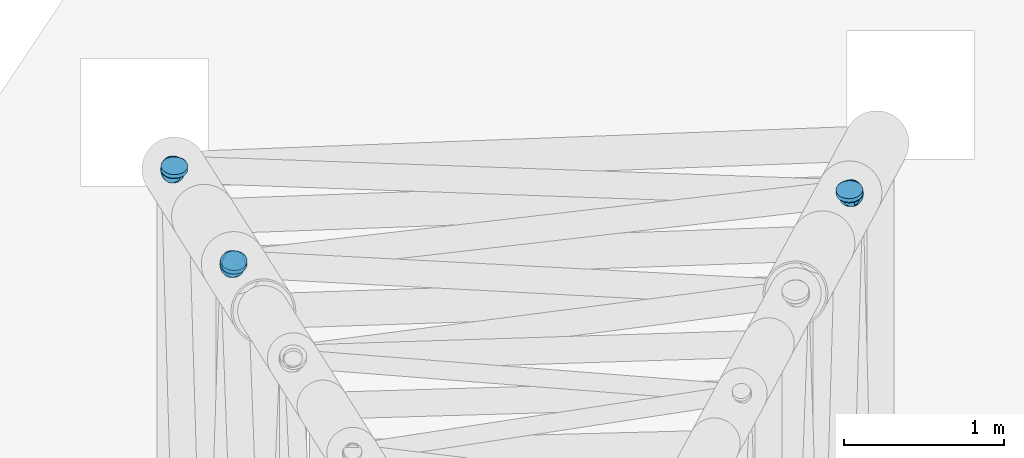
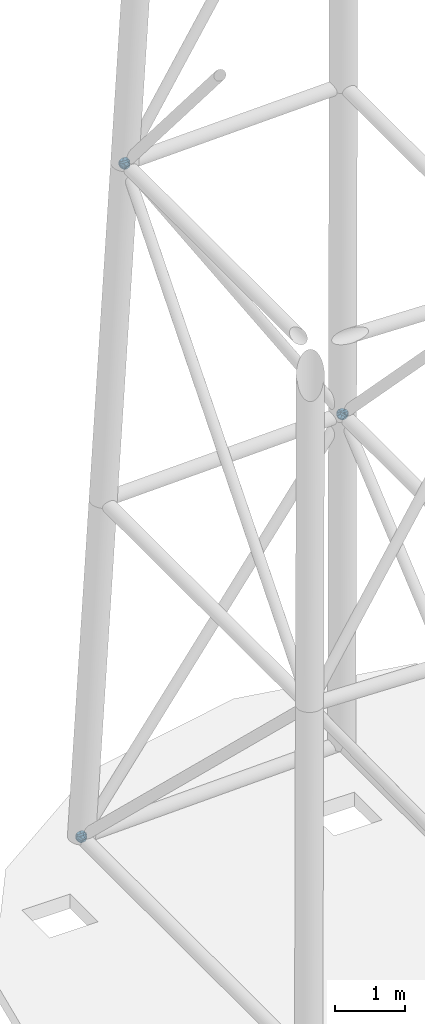
# One storey, part 10 of 10: 12 discrete accessories.
"""IFC4 building model written with IfcOpenShell, lengths in metres."""

from ifc_helpers import new_model, si_unit, direction, frame, origin, origin_2d, place, context, subcontext, project, spatial, circle, extrude, material, material_profile, profile_set, type_object, element, save


model = new_model("IFC4")

# Units and contexts
model_context = context("Model", 3, precision=1e-05, world=origin(), true_north=direction((0.0, 1.0)))
body_context = subcontext(model_context, "Body", "Model", "MODEL_VIEW")
ifc_project = project(units=[si_unit("LENGTHUNIT", "METRE"), si_unit("AREAUNIT", "SQUARE_METRE"), si_unit("VOLUMEUNIT", "CUBIC_METRE"), si_unit("PLANEANGLEUNIT", "RADIAN"), si_unit("MASSUNIT", "GRAM", prefix="KILO")], contexts=[model_context])

# Site, building, storey
site_placement = place(None, origin())
site = spatial("IfcSite", under=ifc_project, at=site_placement, CompositionType="ELEMENT")
building_placement = place(site_placement, origin())
building = spatial("IfcBuilding", under=site, at=building_placement, Name="Alderwake Tower", CompositionType="ELEMENT")
storey_placement = place(building_placement, frame((0.0, 0.0, 319.25)))
storey = spatial("IfcBuildingStorey", under=building, at=storey_placement, Name="Upper roof", CompositionType="ELEMENT", Elevation=319.25)

# Discrete accessories
ifc_material = material(Name="Steel ASTM A572 Grade 50", Category="steel")
ifc_material_profile = material_profile(ifc_material, circle(Radius=0.084228515625, at=origin_2d()), Name="HSS6.625X0.280 cap")
ifc_profile_set = profile_set([ifc_material_profile], Name="Steel ASTM A572 Grade 50")
discrete_accessory_type = type_object("IfcDiscreteAccessoryType", Name="End cap plate HSS6.625X0.280", PredefinedType="USERDEFINED", material=ifc_profile_set)
discrete_accessory_placement = place(storey_placement, frame((20.42333984375, 64.251953125, 1.75), z_axis=(-0.605237249268, -0.065431053975, 0.793351529446), x_axis=(0.10748184298, -0.994207047566, 0.0)))
element("IfcDiscreteAccessory", 1, at=discrete_accessory_placement, inside=storey, type_object=discrete_accessory_type, Name="End cap MD2.1 N", ObjectType="END CAP", PredefinedType="USERDEFINED", context=body_context, shape_type="SweptSolid", body=[
    extrude(circle(Radius=0.084228515625, at=origin_2d()), origin(), (0.0, 0.0, 1.0), 0.02978515625),
])
for number, where, z_axis, x_axis, name in (
    (2, (20.42333984375, 64.251953125, 1.75), (0.01631416887, 0.750451768034, 0.660723839247), (-0.999763788824, 0.021733995409, 0.0), "End cap MD3.1 N"),
    (3, (20.42333984375, 64.251953125, 1.75), (-0.578844955251, 0.016305491697, -0.815274584861), (-0.028157844768, -0.999603489279, 0.0), "End cap MD2.2 S"),
):
    element("IfcDiscreteAccessory", number, at=place(storey_placement, frame(where, z_axis=z_axis, x_axis=x_axis)), inside=storey, type_object=discrete_accessory_type, Name=name, ObjectType="END CAP", PredefinedType="USERDEFINED", context=body_context, shape_type="SweptSolid", body=[
        extrude(circle(Radius=0.084228515625, at=origin_2d()), origin(), (0.0, 0.0, 1.0), 0.030029296875),
    ])
for number, where, z_axis, x_axis, name in (
    (4, (24.652099609375, 64.1025390625, 7.75), (0.573385385047, -0.016382439573, 0.819121978638), (0.028559773899, 0.999592086461, 0.0), "End cap MD2.2 N"),
    (5, (20.42333984375, 64.251953125, 1.75), (-0.024512880136, 0.71904448399, -0.694531603854), (-0.999419410976, -0.034071116283, 0.0), "End cap MD3.2 S"),
):
    element("IfcDiscreteAccessory", number, at=place(storey_placement, frame(where, z_axis=z_axis, x_axis=x_axis)), inside=storey, type_object=discrete_accessory_type, Name=name, ObjectType="END CAP", PredefinedType="USERDEFINED", context=body_context, shape_type="SweptSolid", body=[
        extrude(circle(Radius=0.084228515625, at=origin_2d()), origin(), (0.0, 0.0, 1.0), 0.02978515625),
    ])
for number, where, z_axis, x_axis, name in (
    (6, (24.652099609375, 64.1025390625, 7.75), (-0.024350039735, 0.738617871948, 0.673684432656), (-0.999457029914, -0.032949132854, 0.0), "End cap MD4.2 N"),
    (7, (24.652099609375, 64.1025390625, 7.75), (0.53836757272, 0.065256675481, -0.84017969682), (-0.120331367519, 0.992733782034, 0.0), "End cap MD2.3 S"),
    (8, (20.79541015625, 63.659423828125, 13.75), (-0.53836757272, -0.065256675481, 0.84017969682), (0.120331367519, -0.992733782034, 0.0), "End cap MD2.3 N"),
    (9, (20.79541015625, 63.659423828125, 13.75), (0.024361276857, 0.682115751988, 0.730838305701), (-0.999362854348, 0.035691530512, 0.0), "End cap MD3.3 N"),
    (10, (24.652099609375, 64.1025390625, 7.75), (0.016252107832, 0.698840636773, -0.715092744605), (-0.999729693197, 0.023249527749, 0.0), "End cap MD4.3 S"),
    (11, (20.79541015625, 63.659423828125, 13.75), (-0.504732720976, 0.024422551015, -0.862930135862), (-0.048330551423, -0.998831396082, 0.0), "End cap MD2.4 S"),
    (12, (20.79541015625, 63.659423828125, 13.75), (-0.016286018571, 0.643297733563, -0.765442872847), (-0.999679692497, -0.025308346645, 0.0), "End cap MD3.4 S"),
):
    element("IfcDiscreteAccessory", number, at=place(storey_placement, frame(where, z_axis=z_axis, x_axis=x_axis)), inside=storey, type_object=discrete_accessory_type, Name=name, ObjectType="END CAP", PredefinedType="USERDEFINED", context=body_context, shape_type="SweptSolid", body=[
        extrude(circle(Radius=0.084228515625, at=origin_2d()), origin(), (0.0, 0.0, 1.0), 0.030029296875),
    ])

save(model, "model.ifc")
